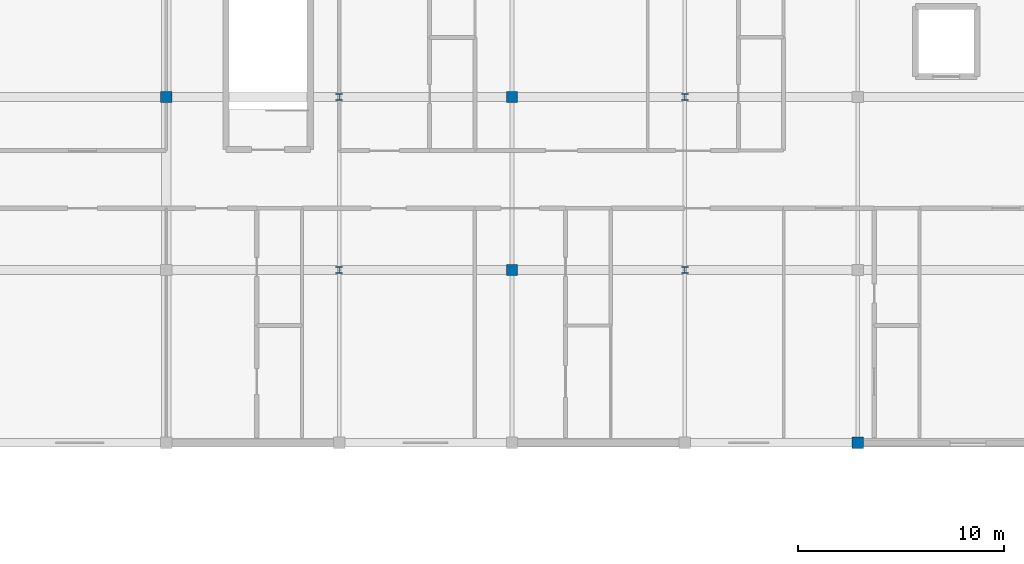
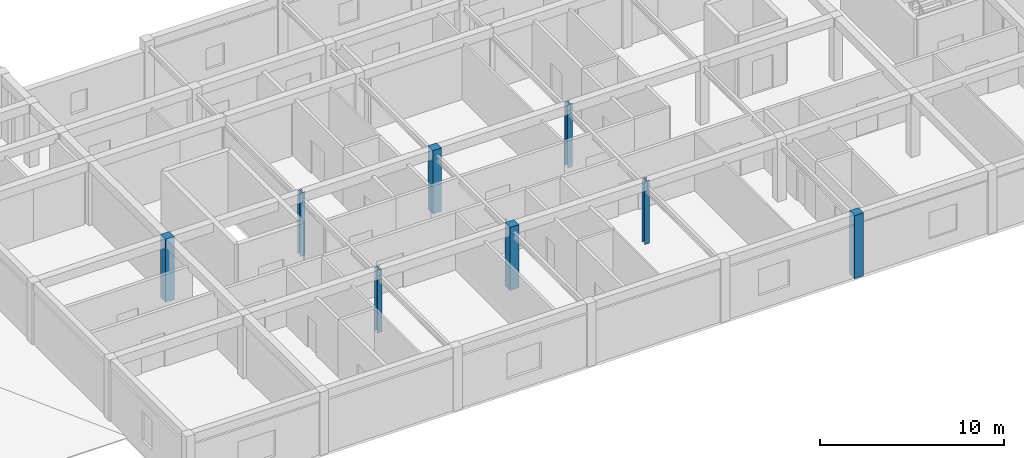
# One storey, part 2 of 42: 8 columns.
"""IFC4 building model written with IfcOpenShell, lengths in metres."""

from ifc_helpers import new_model, si_unit, direction, frame, origin, origin_2d, place, context, subcontext, project, spatial, rectangle, i_section, extrude, material, material_profile, profile_set, type_object, element, save


model = new_model("IFC4")

# Units and contexts
model_context = context("Model", 3, precision=1e-05, world=origin(), true_north=direction((0.0, 1.0)))
body_context = subcontext(model_context, "Body", "Model", "MODEL_VIEW")
ifc_project = project(units=[si_unit("LENGTHUNIT", "METRE"), si_unit("AREAUNIT", "SQUARE_METRE"), si_unit("VOLUMEUNIT", "CUBIC_METRE"), si_unit("PLANEANGLEUNIT", "RADIAN"), si_unit("MASSUNIT", "GRAM", prefix="KILO")], contexts=[model_context])

# Site, building, storey
site_placement = place(None, origin())
site = spatial("IfcSite", under=ifc_project, at=site_placement, CompositionType="ELEMENT")
building_placement = place(site_placement, origin())
building = spatial("IfcBuilding", under=site, at=building_placement, Name="Varncliffe General Hospital", CompositionType="ELEMENT")
storey_placement = place(building_placement, frame((0.0, 0.0, 20.39990234375)))
storey = spatial("IfcBuildingStorey", under=building, at=storey_placement, Name="L04", CompositionType="ELEMENT", Elevation=20.39990234375)

# Columns
ifc_material_1 = material(Name="Concrete C40/50 (CSA A23.1 40 MPa)", Category="concrete")
ifc_material_profile_1 = material_profile(ifc_material_1, rectangle(XDim=0.550048828125, YDim=0.550048828125, at=origin_2d()), Name="RC 550x550")
ifc_profile_set_1 = profile_set([ifc_material_profile_1], Name="Concrete C40/50 (CSA A23.1 40 MPa)")
column_type_1 = type_object("IfcColumnType", Name="Column C26 (Ext RC 550x550)", PredefinedType="COLUMN", material=ifc_profile_set_1)
column_placement = place(storey_placement, frame((100.800048828125, 74.39990234375, 0.0), z_axis=(0.0, 0.0, 1.0), x_axis=(1.0, 0.0, 0.0)))
element("IfcColumn", 1, at=column_placement, inside=storey, type_object=column_type_1, Name="L04 Column C26", PredefinedType="COLUMN", context=body_context, shape_type="SweptSolid", body=[
    extrude(rectangle(XDim=0.550048828125, YDim=0.550048828125, at=origin_2d()), origin(), (0.0, 0.0, 1.0), 4.2001953125),
])
ifc_material_2 = material(Name="Steel S355 (CSA G40.21 350W)", Category="steel")
ifc_material_profile_2 = material_profile(ifc_material_2, i_section(OverallWidth=0.304931640625, OverallDepth=0.30810546875, WebThickness=0.010009765625, FlangeThickness=0.015380859375, FilletRadius=0.014892578125, at=origin_2d()), Name="W310x97")
ifc_profile_set_2 = profile_set([ifc_material_profile_2], Name="Steel S355 (CSA G40.21 350W)")
column_type_2 = type_object("IfcColumnType", Name="Column C56 (Int W310x97)", PredefinedType="COLUMN", material=ifc_profile_set_2)
for number, where, z_axis, x_axis, name in (
    (2, (75.60009765625, 82.800048828125, 0.0), (0.0, 0.0, 1.0), (1.0, 0.0, 0.0), "L04 Column C56"),
    (3, (75.60009765625, 91.199951171875, 0.0), (0.0, 0.0, 1.0), (1.0, 0.0, 0.0), "L04 Column C56"),
    (4, (92.39990234375, 82.800048828125, 0.0), (0.0, 0.0, 1.0), (1.0, 0.0, 0.0), "L04 Column C56"),
    (5, (92.39990234375, 91.199951171875, 0.0), (0.0, 0.0, 1.0), (1.0, 0.0, 0.0), "L04 Column C56"),
):
    element("IfcColumn", number, at=place(storey_placement, frame(where, z_axis=z_axis, x_axis=x_axis)), inside=storey, type_object=column_type_2, Name=name, PredefinedType="COLUMN", context=body_context, shape_type="SweptSolid", body=[
        extrude(i_section(OverallWidth=0.304931640625, OverallDepth=0.30810546875, WebThickness=0.010009765625, FlangeThickness=0.015380859375, FilletRadius=0.014892578125, at=origin_2d()), origin(), (0.0, 0.0, 1.0), 4.2001953125),
    ])
ifc_material_profile_3 = material_profile(ifc_material_1, rectangle(XDim=0.550048828125, YDim=0.550048828125, at=origin_2d()), Name="RC 550x550")
ifc_profile_set_3 = profile_set([ifc_material_profile_3], Name="Concrete C40/50 (CSA A23.1 40 MPa)")
column_type_3 = type_object("IfcColumnType", Name="Column C85 (Int RC 550x550)", PredefinedType="COLUMN", material=ifc_profile_set_3)
for number, where, z_axis, x_axis, name in (
    (6, (67.199951171875, 91.199951171875, 0.0), (0.0, 0.0, 1.0), (1.0, 0.0, 0.0), "L04 Column C85"),
    (7, (84.0, 82.800048828125, 0.0), (0.0, 0.0, 1.0), (1.0, 0.0, 0.0), "L04 Column C85"),
    (8, (84.0, 91.199951171875, 0.0), (0.0, 0.0, 1.0), (1.0, 0.0, 0.0), "L04 Column C85"),
):
    element("IfcColumn", number, at=place(storey_placement, frame(where, z_axis=z_axis, x_axis=x_axis)), inside=storey, type_object=column_type_3, Name=name, PredefinedType="COLUMN", context=body_context, shape_type="SweptSolid", body=[
        extrude(rectangle(XDim=0.550048828125, YDim=0.550048828125, at=origin_2d()), origin(), (0.0, 0.0, 1.0), 4.2001953125),
    ])

save(model, "model.ifc")
